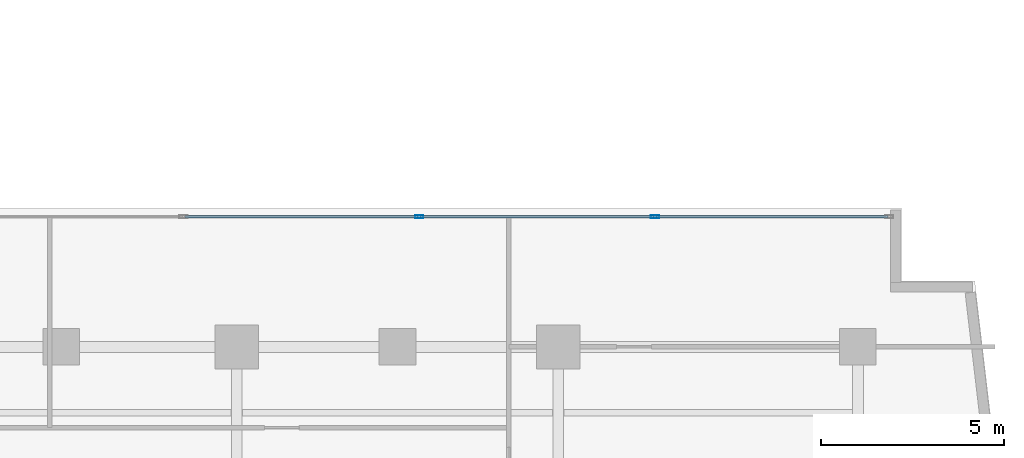
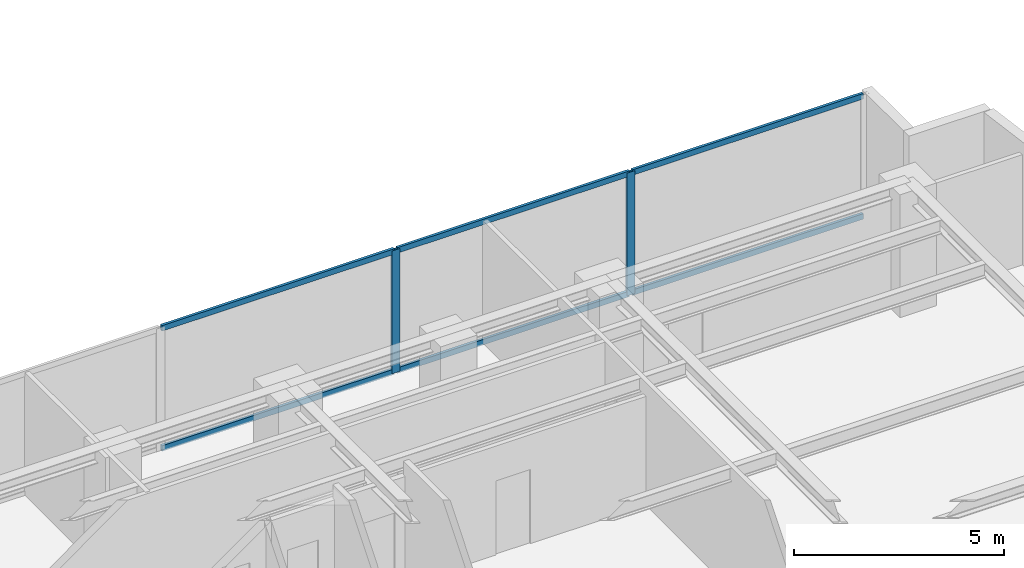
# One storey, part 14 of 27: 8 members, 1 element without a shape of its own.
"""IFC4 building model written with IfcOpenShell, lengths in metres."""

from ifc_helpers import new_model, si_unit, direction, frame, origin, origin_with_axes, origin_2d, place, context, subcontext, project, spatial, hollow_rectangle, extrude, source, transform, mapped, material, layer, layer_set, material_profile, profile_set, type_object, element, aggregate, save


model = new_model("IFC4")

# Units and contexts
model_context = context("Model", 3, precision=1e-05, world=origin(), true_north=direction((0.0, 1.0)))
body_context = subcontext(model_context, "Body", "Model", "MODEL_VIEW")
ifc_project = project(units=[si_unit("LENGTHUNIT", "METRE"), si_unit("AREAUNIT", "SQUARE_METRE"), si_unit("VOLUMEUNIT", "CUBIC_METRE"), si_unit("PLANEANGLEUNIT", "RADIAN"), si_unit("MASSUNIT", "GRAM", prefix="KILO")], contexts=[model_context])

# Site, building, storey
site_placement = place(None, origin())
site = spatial("IfcSite", under=ifc_project, at=site_placement, CompositionType="ELEMENT")
building_placement = place(site_placement, origin())
building = spatial("IfcBuilding", under=site, at=building_placement, Name="Kolvaren Waterfront Exchange", CompositionType="ELEMENT")
storey_placement = place(building_placement, frame((0.0, 0.0, 161.39990234375)))
storey = spatial("IfcBuildingStorey", under=building, at=storey_placement, Name="L41", CompositionType="ELEMENT", Elevation=161.39990234375)

# Curtain wall, members
ifc_material_1 = material(Name="Anodised bronze aluminium 6063-T6", Category="aluminium")
ifc_layer = layer(ifc_material_1, 0.219970703125, Name="Anodised bronze aluminium 6063-T6")
ifc_layer_set = layer_set([ifc_layer], Name="Anodised bronze aluminium 6063-T6")
curtain_wall_type = type_object("IfcCurtainWallType", Name="ARC-CW-SYS1", PredefinedType="USERDEFINED", material=ifc_layer_set)
curtain_wall_placement = place(storey_placement, origin())
curtain_wall = element("IfcCurtainWall", 1, at=curtain_wall_placement, inside=storey, type_object=curtain_wall_type, Name="L41 stick curtain wall CW1 (CW-L41-EN)", ObjectType="STICK CURTAIN WALL", PredefinedType="USERDEFINED")
ifc_material_2 = material(Name="Anodised aluminium 6063-T6", Category="aluminium")
ifc_material_profile_1 = material_profile(ifc_material_2, hollow_rectangle(XDim=0.080078125, YDim=0.219970703125, WallThickness=0.0048828125, at=origin_2d()), Name="ALU-MUL-220x80x5")
ifc_profile_set_1 = profile_set([ifc_material_profile_1], Name="Anodised aluminium 6063-T6")
member_type_1 = type_object("IfcMemberType", Name="ARC-CWM-220", PredefinedType="MULLION", material=ifc_profile_set_1)
shared_shape_1 = source(origin_with_axes(), body_context, "Body", "SweptSolid", [
    extrude(hollow_rectangle(XDim=0.080078125, YDim=0.219970703125, WallThickness=0.0048828125, at=origin_2d()), origin(), (0.0, 0.0, 1.0), 3.56005859375),
])
member_1_placement = place(storey_placement, frame((41.794921875, 20.9599609375, 0.0), z_axis=(0.0, 0.0, 1.0), x_axis=(0.0, 1.0, 0.0)))
member_1 = element("IfcMember", 2, at=member_1_placement, type_object=member_type_1, Name="CW1 mullion 3", PredefinedType="MULLION", context=body_context, shape_type="MappedRepresentation", body=[
    mapped(shared_shape_1, transform((0.0, 0.0, 0.0), x_axis=(1.0, 0.0, 0.0), y_axis=(0.0, 1.0, 0.0), z_axis=(0.0, 0.0, 1.0), scale=1.0)),
])
member_2_placement = place(storey_placement, frame((48.24755859375, 20.9599609375, 0.0), z_axis=(0.0, 0.0, 1.0), x_axis=(0.0, 1.0, 0.0)))
member_2 = element("IfcMember", 3, at=member_2_placement, type_object=member_type_1, Name="CW1 mullion 4", PredefinedType="MULLION", context=body_context, shape_type="MappedRepresentation", body=[
    mapped(shared_shape_1, transform((0.0, 0.0, 0.0), x_axis=(1.0, 0.0, 0.0), y_axis=(0.0, 1.0, 0.0), z_axis=(0.0, 0.0, 1.0), scale=1.0)),
])
ifc_material_profile_2 = material_profile(ifc_material_2, hollow_rectangle(XDim=0.074951171875, YDim=0.159912109375, WallThickness=0.00439453125, at=origin_2d()), Name="ALU-TRN-160x75x4.5")
ifc_profile_set_2 = profile_set([ifc_material_profile_2], Name="Anodised aluminium 6063-T6")
member_type_2 = type_object("IfcMemberType", Name="ARC-CWT-160", PredefinedType="USERDEFINED", material=ifc_profile_set_2)
shared_shape_2 = source(origin_with_axes(), body_context, "Body", "SweptSolid", [
    extrude(hollow_rectangle(XDim=0.074951171875, YDim=0.159912109375, WallThickness=0.00439453125, at=origin_2d()), origin(), (0.0, 0.0, 1.0), 6.33251953125),
])
member_3_placement = place(storey_placement, frame((48.28759765625, 20.9599609375, 0.03759765625), z_axis=(1.0, 0.0, 0.0), x_axis=(0.0, 1.0, 0.0)))
member_3 = element("IfcMember", 4, at=member_3_placement, type_object=member_type_2, Name="CW1 transom 4.1", ObjectType="TRANSOM", PredefinedType="USERDEFINED", context=body_context, shape_type="MappedRepresentation", body=[
    mapped(shared_shape_2, transform((0.0, 0.0, 0.0), x_axis=(1.0, 0.0, 0.0), y_axis=(0.0, 1.0, 0.0), z_axis=(0.0, 0.0, 1.0), scale=1.0)),
])
member_4_placement = place(storey_placement, frame((48.28759765625, 20.9599609375, 3.522705078125), z_axis=(1.0, 0.0, 0.0), x_axis=(0.0, 1.0, 0.0)))
member_4 = element("IfcMember", 5, at=member_4_placement, type_object=member_type_2, Name="CW1 transom 4.2", ObjectType="TRANSOM", PredefinedType="USERDEFINED", context=body_context, shape_type="MappedRepresentation", body=[
    mapped(shared_shape_2, transform((0.0, 0.0, 0.0), x_axis=(1.0, 0.0, 0.0), y_axis=(0.0, 1.0, 0.0), z_axis=(0.0, 0.0, 1.0), scale=1.0)),
])
shared_shape_3 = source(origin_with_axes(), body_context, "Body", "SweptSolid", [
    extrude(hollow_rectangle(XDim=0.074951171875, YDim=0.159912109375, WallThickness=0.00439453125, at=origin_2d()), origin(), (0.0, 0.0, 1.0), 6.372314453125),
])
member_5_placement = place(storey_placement, frame((35.382568359375, 20.9599609375, 0.03759765625), z_axis=(1.0, 0.0, 0.0), x_axis=(0.0, 1.0, 0.0)))
member_5 = element("IfcMember", 6, at=member_5_placement, type_object=member_type_2, Name="CW1 transom 2.1", ObjectType="TRANSOM", PredefinedType="USERDEFINED", context=body_context, shape_type="MappedRepresentation", body=[
    mapped(shared_shape_3, transform((0.0, 0.0, 0.0), x_axis=(1.0, 0.0, 0.0), y_axis=(0.0, 1.0, 0.0), z_axis=(0.0, 0.0, 1.0), scale=1.0)),
])
member_6_placement = place(storey_placement, frame((35.382568359375, 20.9599609375, 3.522705078125), z_axis=(1.0, 0.0, 0.0), x_axis=(0.0, 1.0, 0.0)))
member_6 = element("IfcMember", 7, at=member_6_placement, type_object=member_type_2, Name="CW1 transom 2.2", ObjectType="TRANSOM", PredefinedType="USERDEFINED", context=body_context, shape_type="MappedRepresentation", body=[
    mapped(shared_shape_3, transform((0.0, 0.0, 0.0), x_axis=(1.0, 0.0, 0.0), y_axis=(0.0, 1.0, 0.0), z_axis=(0.0, 0.0, 1.0), scale=1.0)),
])
shared_shape_4 = source(origin_with_axes(), body_context, "Body", "SweptSolid", [
    extrude(hollow_rectangle(XDim=0.074951171875, YDim=0.159912109375, WallThickness=0.00439453125, at=origin_2d()), origin(), (0.0, 0.0, 1.0), 6.37255859375),
])
member_7_placement = place(storey_placement, frame((41.8349609375, 20.9599609375, 0.03759765625), z_axis=(1.0, 0.0, 0.0), x_axis=(0.0, 1.0, 0.0)))
member_7 = element("IfcMember", 8, at=member_7_placement, type_object=member_type_2, Name="CW1 transom 3.1", ObjectType="TRANSOM", PredefinedType="USERDEFINED", context=body_context, shape_type="MappedRepresentation", body=[
    mapped(shared_shape_4, transform((0.0, 0.0, 0.0), x_axis=(1.0, 0.0, 0.0), y_axis=(0.0, 1.0, 0.0), z_axis=(0.0, 0.0, 1.0), scale=1.0)),
])
member_8_placement = place(storey_placement, frame((41.8349609375, 20.9599609375, 3.522705078125), z_axis=(1.0, 0.0, 0.0), x_axis=(0.0, 1.0, 0.0)))
member_8 = element("IfcMember", 9, at=member_8_placement, type_object=member_type_2, Name="CW1 transom 3.2", ObjectType="TRANSOM", PredefinedType="USERDEFINED", context=body_context, shape_type="MappedRepresentation", body=[
    mapped(shared_shape_4, transform((0.0, 0.0, 0.0), x_axis=(1.0, 0.0, 0.0), y_axis=(0.0, 1.0, 0.0), z_axis=(0.0, 0.0, 1.0), scale=1.0)),
])
aggregate(curtain_wall, [member_1, member_2, member_5, member_6, member_7, member_8, member_3, member_4])

save(model, "model.ifc")
